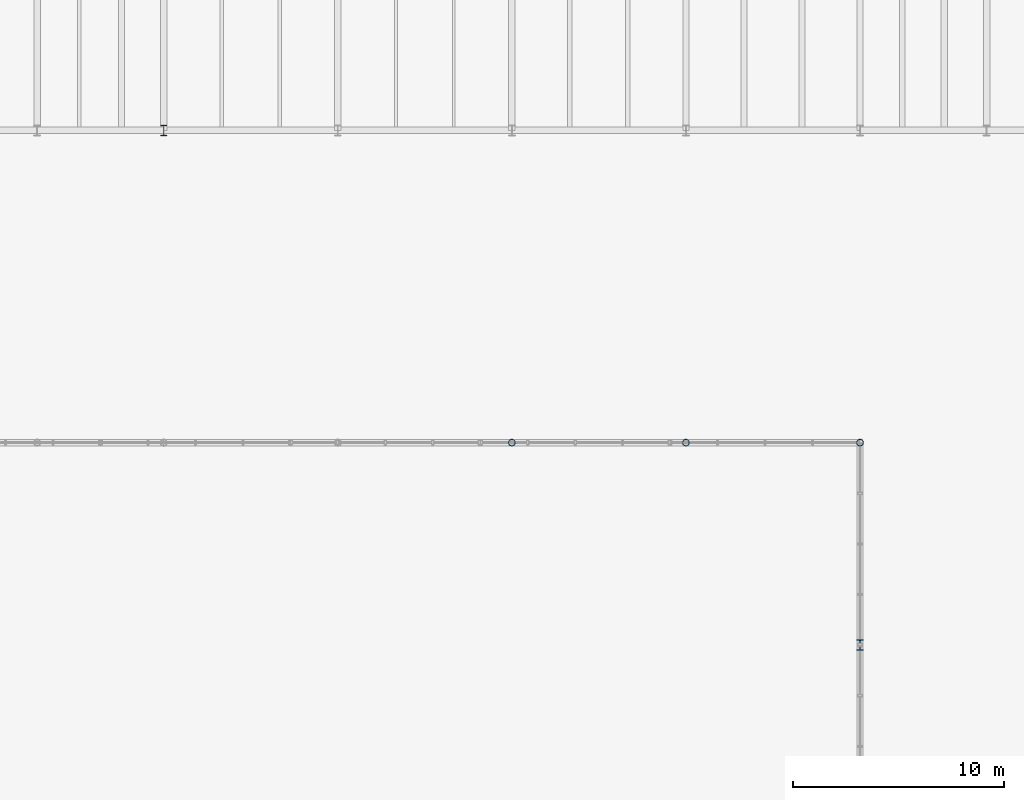
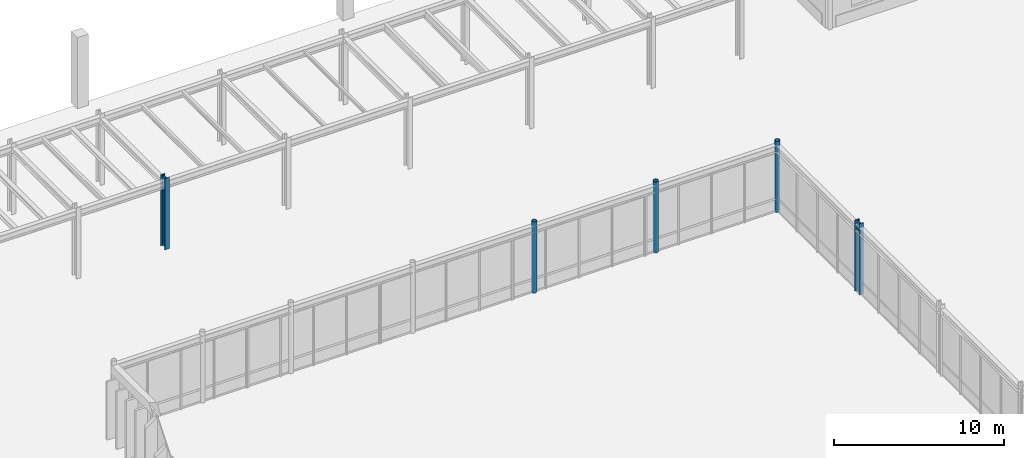
# One storey, part 12 of 64: 5 columns.
"""IFC4 building model written with IfcOpenShell, lengths in metres."""

from ifc_helpers import new_model, si_unit, direction, frame, origin, origin_2d, place, context, subcontext, project, spatial, hollow_circle, i_section, extrude, material, material_profile, profile_set, type_object, element, save


model = new_model("IFC4")

# Units and contexts
model_context = context("Model", 3, precision=1e-05, world=origin(), true_north=direction((0.0, 1.0)))
body_context = subcontext(model_context, "Body", "Model", "MODEL_VIEW")
ifc_project = project(units=[si_unit("LENGTHUNIT", "METRE"), si_unit("AREAUNIT", "SQUARE_METRE"), si_unit("VOLUMEUNIT", "CUBIC_METRE"), si_unit("PLANEANGLEUNIT", "RADIAN"), si_unit("MASSUNIT", "GRAM", prefix="KILO")], contexts=[model_context])

# Site, building, storey
site_placement = place(None, origin())
site = spatial("IfcSite", under=ifc_project, at=site_placement, CompositionType="ELEMENT")
building_placement = place(site_placement, origin())
building = spatial("IfcBuilding", under=site, at=building_placement, Name="Montealbar Specialist Clinic", CompositionType="ELEMENT")
storey_placement = place(building_placement, origin())
storey = spatial("IfcBuildingStorey", under=building, at=storey_placement, Name="L00", CompositionType="ELEMENT", Elevation=0.0)

# Columns
ifc_material = material(Name="Steel S355", Category="steel")
ifc_material_profile_1 = material_profile(ifc_material, hollow_circle(Radius=0.161865234375, WallThickness=0.01611328125, at=origin_2d()), Name="CHS 323.9x16.0", Category="steel")
ifc_profile_set_1 = profile_set([ifc_material_profile_1], Name="Steel S355")
column_type_1 = type_object("IfcColumnType", Name="COL-CHS-HALL-EXT", PredefinedType="COLUMN", material=ifc_profile_set_1)
for number, where, z_axis, x_axis, name in (
    (1, (82.5, 81.0, 0.0), (0.0, 0.0, 1.0), (1.0, 0.0, 0.0), "Column 11/K L00"),
    (2, (90.75, 81.0, 0.0), (0.0, 0.0, 1.0), (1.0, 0.0, 0.0), "Column 12/K L00"),
    (3, (99.0, 81.0, 0.0), (0.0, 0.0, 1.0), (1.0, 0.0, 0.0), "Column 13/K L00"),
):
    element("IfcColumn", number, at=place(storey_placement, frame(where, z_axis=z_axis, x_axis=x_axis)), inside=storey, type_object=column_type_1, Name=name, PredefinedType="COLUMN", context=body_context, shape_type="SweptSolid", body=[
        extrude(hollow_circle(Radius=0.161865234375, WallThickness=0.01611328125, at=origin_2d()), origin(), (0.0, 0.0, 1.0), 5.10009765625),
    ])
ifc_material_profile_2 = material_profile(ifc_material, i_section(OverallWidth=0.300048828125, OverallDepth=0.5, WebThickness=0.014404296875, FlangeThickness=0.028076171875, FilletRadius=0.027099609375, at=origin_2d()), Name="HEB 500", Category="steel")
ifc_profile_set_2 = profile_set([ifc_material_profile_2], Name="Steel S355")
column_type_2 = type_object("IfcColumnType", Name="COL-S-L00-STD-EXT", PredefinedType="COLUMN", material=ifc_profile_set_2)
for number, where, z_axis, x_axis, name in (
    (4, (66.0, 95.800048828125, 0.0), (0.0, 0.0, 1.0), (1.0, 0.0, 0.0), "Column 9/M L00"),
    (5, (99.0, 71.39990234375, 0.0), (0.0, 0.0, 1.0), (1.0, 0.0, 0.0), "Column 13/J L00"),
):
    element("IfcColumn", number, at=place(storey_placement, frame(where, z_axis=z_axis, x_axis=x_axis)), inside=storey, type_object=column_type_2, Name=name, PredefinedType="COLUMN", context=body_context, shape_type="SweptSolid", body=[
        extrude(i_section(OverallWidth=0.300048828125, OverallDepth=0.5, WebThickness=0.014404296875, FlangeThickness=0.028076171875, FilletRadius=0.027099609375, at=origin_2d()), origin(), (0.0, 0.0, 1.0), 5.10009765625),
    ])

save(model, "model.ifc")
